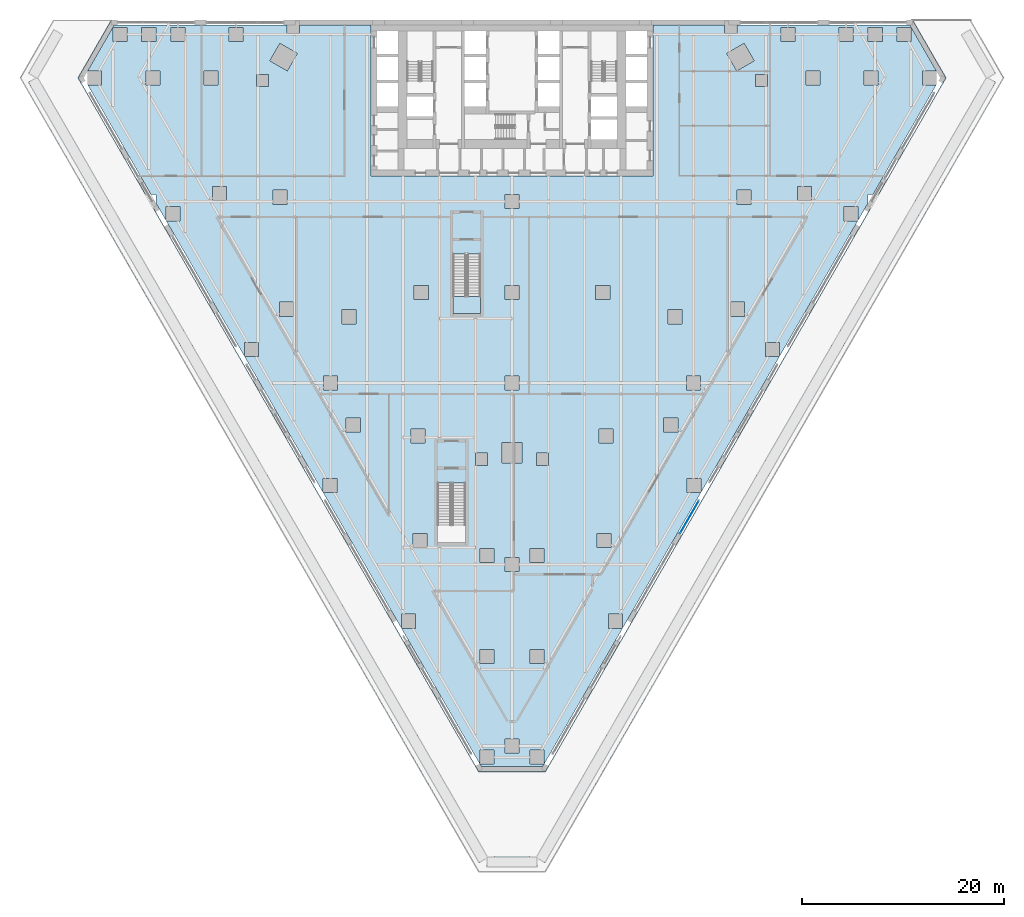
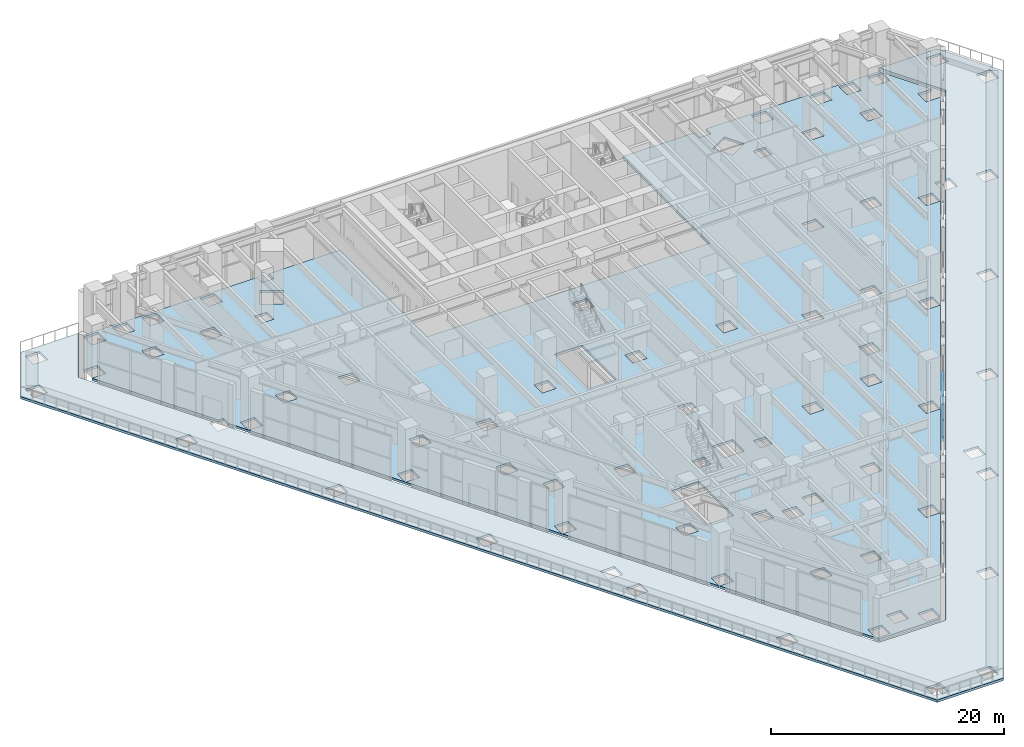
# One storey, part 18 of 30: 3 slabs, 2 plates, 2 elements without a shape of their own.
"""IFC4 building model written with IfcOpenShell, lengths in metres."""

from ifc_helpers import new_model, si_unit, direction, frame, origin, origin_2d, place, context, subcontext, project, spatial, polyline, rectangle, outline, extrude, material, layer, layer_set, type_object, element, aggregate, save


model = new_model("IFC4")

# Units and contexts
model_context = context("Model", 3, precision=1e-05, world=origin(), true_north=direction((0.0, 1.0)))
body_context = subcontext(model_context, "Body", "Model", "MODEL_VIEW")
ifc_project = project(units=[si_unit("LENGTHUNIT", "METRE"), si_unit("AREAUNIT", "SQUARE_METRE"), si_unit("VOLUMEUNIT", "CUBIC_METRE"), si_unit("PLANEANGLEUNIT", "RADIAN"), si_unit("MASSUNIT", "GRAM", prefix="KILO")], contexts=[model_context])

# Site, building, storey
site_placement = place(None, origin())
site = spatial("IfcSite", under=ifc_project, at=site_placement, CompositionType="ELEMENT")
building_placement = place(site_placement, origin())
building = spatial("IfcBuilding", under=site, at=building_placement, Name="Aloe Facet Convention Tower", CompositionType="ELEMENT")
storey_placement = place(building_placement, frame((0.0, 0.0, 19.5)))
storey = spatial("IfcBuildingStorey", under=building, at=storey_placement, Name="L03", CompositionType="ELEMENT", Elevation=19.5)

# Stair, slab
ifc_material_1 = material(Name="Concrete C50/60", Category="concrete")
stair_type = type_object("IfcStairType", Name="CR-ST-32R-W1300", PredefinedType="HALF_TURN_STAIR", material=ifc_material_1)
stair_placement = place(storey_placement, origin())
stair = element("IfcStair", 1, at=stair_placement, inside=storey, type_object=stair_type, Name="L03 Protected exit stair ST5", PredefinedType="HALF_TURN_STAIR")
ifc_material_2 = material(Name="Concrete C50/60", Category="concrete")
ifc_layer_1 = layer(ifc_material_2, 0.199951171875)
ifc_layer_set_1 = layer_set([ifc_layer_1], Name="CR-SL-LANDING")
slab_type_1 = type_object("IfcSlabType", Name="CR-SL-LANDING", PredefinedType="LANDING", material=ifc_layer_set_1)
slab_1_placement = place(storey_placement, frame((0.0, 0.0, 2.550048828125)))
slab_1 = element("IfcSlab", 2, at=slab_1_placement, type_object=slab_type_1, Name="ST5 landing 1", PredefinedType="LANDING", context=body_context, shape_type="SweptSolid", body=[
    extrude(outline(polyline([(74.125, 107.60009765625), (74.125, 105.89990234375), (76.875, 105.89990234375), (76.875, 107.60009765625), (74.125, 107.60009765625)])), origin(), (0.0, 0.0, 1.0), 0.199951171875),
])
aggregate(stair, [slab_1])

# Curtain wall, plates
ifc_material_3 = material(Name="Aluminium, anodised", Category="aluminium")
curtain_wall_type = type_object("IfcCurtainWallType", Name="EV-CW-HALL", PredefinedType="USERDEFINED", material=ifc_material_3)
curtain_wall_placement = place(storey_placement, origin())
curtain_wall = element("IfcCurtainWall", 3, at=curtain_wall_placement, inside=storey, type_object=curtain_wall_type, Name="CW-L03-E08-1", ObjectType="UNITISED HALL GLAZING", PredefinedType="USERDEFINED")
ifc_material_4 = material(Name="Clear double glazing", Category="glass")
ifc_layer_2 = layer(ifc_material_4, 0.035888671875)
ifc_layer_set_2 = layer_set([ifc_layer_2], Name="EV-PANEL-HALL")
plate_type = type_object("IfcPlateType", Name="EV-PANEL-HALL", PredefinedType="CURTAIN_PANEL", material=ifc_layer_set_2)
plate_1_placement = place(storey_placement, frame((97.603515625, 85.710693359375, -0.18505859375), z_axis=(0.0, 0.0, 1.0), x_axis=(0.50000000003, 0.866025403767, 0.0)))
plate_1 = element("IfcPlate", 4, at=plate_1_placement, type_object=plate_type, Name="CW-L03-E08-1 panel 1.1", PredefinedType="CURTAIN_PANEL", context=body_context, shape_type="SweptSolid", body=[
    extrude(rectangle(XDim=3.702880859375, YDim=0.035888671875, at=origin_2d()), origin(), (0.0, 0.0, 1.0), 2.308837890625),
])
plate_2_placement = place(storey_placement, frame((97.603515625, 85.710693359375, 2.1884765625), z_axis=(0.0, 0.0, 1.0), x_axis=(0.50000000003, 0.866025403767, 0.0)))
plate_2 = element("IfcPlate", 5, at=plate_2_placement, type_object=plate_type, Name="CW-L03-E08-1 panel 1.2", PredefinedType="CURTAIN_PANEL", context=body_context, shape_type="SweptSolid", body=[
    extrude(rectangle(XDim=3.702880859375, YDim=0.035888671875, at=origin_2d()), origin(), (0.0, 0.0, 1.0), 2.308837890625),
])
aggregate(curtain_wall, [plate_1, plate_2])

# Slabs
ifc_material_5 = material(Name="Concrete C35/45", Category="concrete")
ifc_layer_3 = layer(ifc_material_5, 0.25)
ifc_layer_set_3 = layer_set([ifc_layer_3], Name="SF-FS-250")
slab_type_2 = type_object("IfcSlabType", Name="SF-FS-250", PredefinedType="FLOOR", material=ifc_layer_set_3)
slab_2_placement = place(storey_placement, frame((0.0, 0.0, -0.25)))
element("IfcSlab", 6, at=slab_2_placement, inside=storey, type_object=slab_type_2, Name="Floor slab L03-1", PredefinedType="FLOOR", context=body_context, shape_type="SweptSolid", body=[
    extrude(outline(polyline([(119.60498046875, 134.300048828125), (118.2119140625, 134.300048828125), (118.2119140625, 132.89990234375), (119.612060546875, 132.89990234375), (119.612060546875, 134.287841796875), (122.096923828125, 129.98388671875), (120.7041015625, 129.98388671875), (120.7041015625, 128.583984375), (122.0966796875, 128.583984375), (115.812744140625, 117.699951171875), (115.300048828125, 117.699951171875), (115.300048828125, 116.81201171875), (114.321044921875, 115.1162109375), (114.321044921875, 116.5048828125), (112.9208984375, 116.5048828125), (112.9208984375, 115.10498046875), (114.314453125, 115.10498046875), (106.5390625, 101.637451171875), (106.5390625, 103.02490234375), (105.138916015625, 103.02490234375), (105.138916015625, 101.625), (106.53173828125, 101.625), (98.757080078125, 88.15869140625), (98.757080078125, 89.544921875), (97.35693359375, 89.544921875), (97.35693359375, 88.14501953125), (98.7490234375, 88.14501953125), (90.97412109375, 74.677978515625), (90.97412109375, 76.06591796875), (89.573974609375, 76.06591796875), (89.573974609375, 74.666015625), (90.967041015625, 74.666015625), (83.19189453125, 61.19921875), (83.19189453125, 62.5859375), (81.7919921875, 62.5859375), (81.7919921875, 61.18603515625), (83.184326171875, 61.18603515625), (83.040283203125, 60.936279296875), (76.959716796875, 60.936279296875), (76.815673828125, 61.18603515625), (78.2080078125, 61.18603515625), (78.2080078125, 62.5859375), (76.80810546875, 62.5859375), (76.80810546875, 61.19921875), (69.032958984375, 74.666015625), (70.426025390625, 74.666015625), (70.426025390625, 76.06591796875), (69.02587890625, 76.06591796875), (69.02587890625, 74.677978515625), (61.2509765625, 88.14501953125), (62.64306640625, 88.14501953125), (62.64306640625, 89.544921875), (61.242919921875, 89.544921875), (61.242919921875, 88.15869140625), (53.46826171875, 101.625), (54.861083984375, 101.625), (54.861083984375, 103.02490234375), (53.4609375, 103.02490234375), (53.4609375, 101.637451171875), (45.685546875, 115.10498046875), (47.0791015625, 115.10498046875), (47.0791015625, 116.5048828125), (45.678955078125, 116.5048828125), (45.678955078125, 115.1162109375), (44.699951171875, 116.81201171875), (44.699951171875, 117.699951171875), (44.187255859375, 117.699951171875), (37.9033203125, 128.583984375), (39.2958984375, 128.583984375), (39.2958984375, 129.98388671875), (37.903076171875, 129.98388671875), (40.387939453125, 134.287841796875), (40.387939453125, 132.89990234375), (41.7880859375, 132.89990234375), (41.7880859375, 134.300048828125), (40.39501953125, 134.300048828125), (40.539306640625, 134.550048828125), (57.699951171875, 134.550048828125), (57.699951171875, 133.699951171875), (58.89990234375, 133.699951171875), (58.89990234375, 134.550048828125), (66.0, 134.550048828125), (66.0, 131.949951171875), (66.0, 131.050048828125), (66.0, 129.35009765625), (66.0, 128.449951171875), (66.0, 126.449951171875), (66.0, 125.85009765625), (66.0, 124.689453125), (66.0, 123.639404296875), (66.0, 122.550048828125), (66.0, 121.5), (66.0, 119.550048828125), (68.699951171875, 119.550048828125), (69.300048828125, 119.550048828125), (72.10009765625, 119.550048828125), (73.14990234375, 119.550048828125), (74.300048828125, 119.550048828125), (75.35009765625, 119.550048828125), (76.433349609375, 119.550048828125), (77.4833984375, 119.550048828125), (78.566650390625, 119.550048828125), (79.61669921875, 119.550048828125), (80.699951171875, 119.550048828125), (81.75, 119.550048828125), (82.64990234375, 119.550048828125), (83.699951171875, 119.550048828125), (84.64990234375, 119.550048828125), (85.699951171875, 119.550048828125), (86.85009765625, 119.550048828125), (87.89990234375, 119.550048828125), (88.550048828125, 119.550048828125), (89.60009765625, 119.550048828125), (90.699951171875, 119.550048828125), (91.300048828125, 119.550048828125), (94.0, 119.550048828125), (94.0, 122.523681640625), (94.0, 123.57373046875), (94.0, 125.85009765625), (94.0, 126.449951171875), (94.0, 128.449951171875), (94.0, 129.35009765625), (94.0, 131.050048828125), (94.0, 131.949951171875), (94.0, 134.550048828125), (101.10009765625, 134.550048828125), (101.10009765625, 133.699951171875), (102.300048828125, 133.699951171875), (102.300048828125, 134.550048828125), (119.460693359375, 134.550048828125), (119.60498046875, 134.300048828125)]), holes=[polyline([(63.552978515625, 94.14501953125), (64.952880859375, 94.14501953125), (64.952880859375, 95.544921875), (63.552978515625, 95.544921875), (63.552978515625, 94.14501953125)]), polyline([(61.300048828125, 98.300048828125), (62.699951171875, 98.300048828125), (62.699951171875, 99.699951171875), (61.300048828125, 99.699951171875), (61.300048828125, 98.300048828125)]), polyline([(63.1259765625, 106.284912109375), (63.1259765625, 104.885009765625), (64.52587890625, 104.885009765625), (64.52587890625, 106.284912109375), (63.1259765625, 106.284912109375)]), polyline([(56.925048828125, 105.625), (58.324951171875, 105.625), (58.324951171875, 107.02490234375), (56.925048828125, 107.02490234375), (56.925048828125, 105.625)]), polyline([(56.283935546875, 118.135009765625), (56.283935546875, 116.735107421875), (57.68408203125, 116.735107421875), (57.68408203125, 118.135009765625), (56.283935546875, 118.135009765625)]), polyline([(50.297119140625, 117.10498046875), (51.697021484375, 117.10498046875), (51.697021484375, 118.5048828125), (50.297119140625, 118.5048828125), (50.297119140625, 117.10498046875)]), polyline([(54.65625, 128.427978515625), (55.856201171875, 128.427978515625), (55.856201171875, 129.6279296875), (54.65625, 129.6279296875), (54.65625, 128.427978515625)]), polyline([(49.443115234375, 128.583984375), (50.843017578125, 128.583984375), (50.843017578125, 129.98388671875), (49.443115234375, 129.98388671875), (49.443115234375, 128.583984375)]), polyline([(43.669921875, 128.583984375), (45.070068359375, 128.583984375), (45.070068359375, 129.98388671875), (43.669921875, 129.98388671875), (43.669921875, 128.583984375)]), polyline([(58.70166015625, 131.7080078125), (56.969482421875, 132.7080078125), (55.969482421875, 130.97607421875), (57.70166015625, 129.97607421875), (58.70166015625, 131.7080078125)]), polyline([(43.258056640625, 134.300048828125), (43.258056640625, 132.89990234375), (44.657958984375, 132.89990234375), (44.657958984375, 134.300048828125), (43.258056640625, 134.300048828125)]), polyline([(51.93505859375, 132.89990234375), (53.3349609375, 132.89990234375), (53.3349609375, 134.300048828125), (51.93505859375, 134.300048828125), (51.93505859375, 132.89990234375)]), polyline([(46.160888671875, 132.89990234375), (47.56103515625, 132.89990234375), (47.56103515625, 134.300048828125), (46.160888671875, 134.300048828125), (46.160888671875, 132.89990234375)]), polyline([(79.300048828125, 62.300048828125), (80.699951171875, 62.300048828125), (80.699951171875, 63.699951171875), (79.300048828125, 63.699951171875), (79.300048828125, 62.300048828125)]), polyline([(76.80810546875, 71.18603515625), (78.2080078125, 71.18603515625), (78.2080078125, 72.5859375), (76.80810546875, 72.5859375), (76.80810546875, 71.18603515625)]), polyline([(81.7919921875, 72.5859375), (81.7919921875, 71.18603515625), (83.19189453125, 71.18603515625), (83.19189453125, 72.5859375), (81.7919921875, 72.5859375)]), polyline([(79.300048828125, 80.300048828125), (80.699951171875, 80.300048828125), (80.699951171875, 81.699951171875), (79.300048828125, 81.699951171875), (79.300048828125, 80.300048828125)]), polyline([(76.80810546875, 82.5859375), (76.80810546875, 81.18603515625), (78.2080078125, 81.18603515625), (78.2080078125, 82.5859375), (76.80810546875, 82.5859375)]), polyline([(81.7919921875, 82.5859375), (81.7919921875, 81.18603515625), (83.19189453125, 81.18603515625), (83.19189453125, 82.5859375), (81.7919921875, 82.5859375)]), polyline([(88.4189453125, 82.666015625), (89.819091796875, 82.666015625), (89.819091796875, 84.06591796875), (88.4189453125, 84.06591796875), (88.4189453125, 82.666015625)]), polyline([(70.180908203125, 82.666015625), (71.5810546875, 82.666015625), (71.5810546875, 84.06591796875), (70.180908203125, 84.06591796875), (70.180908203125, 82.666015625)]), polyline([(72.625, 83.199951171875), (75.375, 83.199951171875), (75.375, 89.098876953125), (72.625, 89.098876953125), (72.625, 83.199951171875)]), polyline([(76.356201171875, 92.04248046875), (76.356201171875, 90.842529296875), (77.55615234375, 90.842529296875), (77.55615234375, 92.04248046875), (76.356201171875, 92.04248046875)]), polyline([(82.44384765625, 92.04248046875), (82.44384765625, 90.842529296875), (83.643798828125, 90.842529296875), (83.643798828125, 92.04248046875), (82.44384765625, 92.04248046875)]), polyline([(79.0, 93.086181640625), (79.0, 91.086181640625), (81.0, 91.086181640625), (81.0, 93.086181640625), (79.0, 93.086181640625)]), polyline([(88.633056640625, 93.035888671875), (90.032958984375, 93.035888671875), (90.032958984375, 94.43603515625), (88.633056640625, 94.43603515625), (88.633056640625, 93.035888671875)]), polyline([(69.967041015625, 93.035888671875), (71.366943359375, 93.035888671875), (71.366943359375, 94.43603515625), (69.967041015625, 94.43603515625), (69.967041015625, 93.035888671875)]), polyline([(79.300048828125, 99.699951171875), (79.300048828125, 98.300048828125), (80.699951171875, 98.300048828125), (80.699951171875, 99.699951171875), (79.300048828125, 99.699951171875)]), polyline([(79.300048828125, 108.699951171875), (79.300048828125, 107.300048828125), (80.699951171875, 107.300048828125), (80.699951171875, 108.699951171875), (79.300048828125, 108.699951171875)]), polyline([(88.300048828125, 107.300048828125), (89.699951171875, 107.300048828125), (89.699951171875, 108.699951171875), (88.300048828125, 108.699951171875), (88.300048828125, 107.300048828125)]), polyline([(70.300048828125, 107.300048828125), (71.699951171875, 107.300048828125), (71.699951171875, 108.699951171875), (70.300048828125, 108.699951171875), (70.300048828125, 107.300048828125)]), polyline([(74.125, 105.89990234375), (76.875, 105.89990234375), (76.875, 111.798828125), (74.125, 111.798828125), (74.125, 105.89990234375)]), polyline([(79.300048828125, 117.699951171875), (79.300048828125, 116.300048828125), (80.699951171875, 116.300048828125), (80.699951171875, 117.699951171875), (79.300048828125, 117.699951171875)]), polyline([(95.047119140625, 95.544921875), (95.047119140625, 94.14501953125), (96.447021484375, 94.14501953125), (96.447021484375, 95.544921875), (95.047119140625, 95.544921875)]), polyline([(97.300048828125, 99.699951171875), (97.300048828125, 98.300048828125), (98.699951171875, 98.300048828125), (98.699951171875, 99.699951171875), (97.300048828125, 99.699951171875)]), polyline([(95.47412109375, 104.885009765625), (96.8740234375, 104.885009765625), (96.8740234375, 106.284912109375), (95.47412109375, 106.284912109375), (95.47412109375, 104.885009765625)]), polyline([(101.675048828125, 107.02490234375), (101.675048828125, 105.625), (103.074951171875, 105.625), (103.074951171875, 107.02490234375), (101.675048828125, 107.02490234375)]), polyline([(102.31591796875, 116.735107421875), (103.716064453125, 116.735107421875), (103.716064453125, 118.135009765625), (102.31591796875, 118.135009765625), (102.31591796875, 116.735107421875)]), polyline([(108.302978515625, 118.5048828125), (108.302978515625, 117.10498046875), (109.702880859375, 117.10498046875), (109.702880859375, 118.5048828125), (108.302978515625, 118.5048828125)]), polyline([(104.143798828125, 129.6279296875), (104.143798828125, 128.427978515625), (105.34375, 128.427978515625), (105.34375, 129.6279296875), (104.143798828125, 129.6279296875)]), polyline([(114.929931640625, 128.583984375), (116.330078125, 128.583984375), (116.330078125, 129.98388671875), (114.929931640625, 129.98388671875), (114.929931640625, 128.583984375)]), polyline([(109.156982421875, 129.98388671875), (109.156982421875, 128.583984375), (110.556884765625, 128.583984375), (110.556884765625, 129.98388671875), (109.156982421875, 129.98388671875)]), polyline([(101.29833984375, 131.7080078125), (102.29833984375, 129.97607421875), (104.030517578125, 130.97607421875), (103.030517578125, 132.7080078125), (101.29833984375, 131.7080078125)]), polyline([(112.43896484375, 132.89990234375), (113.839111328125, 132.89990234375), (113.839111328125, 134.300048828125), (112.43896484375, 134.300048828125), (112.43896484375, 132.89990234375)]), polyline([(115.342041015625, 134.300048828125), (115.342041015625, 132.89990234375), (116.741943359375, 132.89990234375), (116.741943359375, 134.300048828125), (115.342041015625, 134.300048828125)]), polyline([(106.6650390625, 132.89990234375), (108.06494140625, 132.89990234375), (108.06494140625, 134.300048828125), (106.6650390625, 134.300048828125), (106.6650390625, 132.89990234375)])]), origin(), (0.0, 0.0, 1.0), 0.25),
])
ifc_material_6 = material(Name="Concrete C35/45", Category="concrete")
ifc_layer_4 = layer(ifc_material_6, 0.25)
ifc_layer_set_4 = layer_set([ifc_layer_4], Name="SF-TS-250")
slab_type_3 = type_object("IfcSlabType", Name="SF-TS-250", PredefinedType="FLOOR", material=ifc_layer_set_4)
slab_3_placement = place(storey_placement, frame((0.0, 0.0, -0.25)))
element("IfcSlab", 7, at=slab_3_placement, inside=storey, type_object=slab_type_3, Name="Terrace slab PT-L03-1", PredefinedType="FLOOR", context=body_context, shape_type="SweptSolid", body=[
    extrude(outline(polyline([(128.7939453125, 129.2841796875), (83.300048828125, 50.486328125), (76.699951171875, 50.486328125), (31.2060546875, 129.2841796875), (34.506103515625, 135.0), (40.279541015625, 135.0), (36.9794921875, 129.2841796875), (43.667724609375, 117.699951171875), (43.300048828125, 117.699951171875), (43.300048828125, 116.300048828125), (44.475830078125, 116.300048828125), (76.699951171875, 60.486328125), (83.300048828125, 60.486328125), (115.524169921875, 116.300048828125), (116.699951171875, 116.300048828125), (116.699951171875, 117.699951171875), (116.332275390625, 117.699951171875), (123.0205078125, 129.2841796875), (119.720458984375, 135.0), (125.493896484375, 135.0), (128.7939453125, 129.2841796875)]), holes=[polyline([(61.9130859375, 76.986083984375), (63.31298828125, 76.986083984375), (63.31298828125, 78.385986328125), (61.9130859375, 78.385986328125), (61.9130859375, 76.986083984375)]), polyline([(61.300048828125, 80.300048828125), (62.699951171875, 80.300048828125), (62.699951171875, 81.699951171875), (61.300048828125, 81.699951171875), (61.300048828125, 80.300048828125)]), polyline([(54.465087890625, 89.885009765625), (55.864990234375, 89.885009765625), (55.864990234375, 91.284912109375), (54.465087890625, 91.284912109375), (54.465087890625, 89.885009765625)]), polyline([(47.01806640625, 104.18505859375), (47.01806640625, 102.784912109375), (48.41796875, 102.784912109375), (48.41796875, 104.18505859375), (47.01806640625, 104.18505859375)]), polyline([(39.570068359375, 115.68505859375), (40.969970703125, 115.68505859375), (40.969970703125, 117.0849609375), (39.570068359375, 117.0849609375), (39.570068359375, 115.68505859375)]), polyline([(32.123046875, 129.98388671875), (32.123046875, 128.583984375), (33.52294921875, 128.583984375), (33.52294921875, 129.98388671875), (32.123046875, 129.98388671875)]), polyline([(34.614013671875, 132.89990234375), (36.013916015625, 132.89990234375), (36.013916015625, 134.300048828125), (34.614013671875, 134.300048828125), (34.614013671875, 132.89990234375)]), polyline([(76.80810546875, 52.5859375), (76.80810546875, 51.18603515625), (78.2080078125, 51.18603515625), (78.2080078125, 52.5859375), (76.80810546875, 52.5859375)]), polyline([(81.7919921875, 52.5859375), (81.7919921875, 51.18603515625), (83.19189453125, 51.18603515625), (83.19189453125, 52.5859375), (81.7919921875, 52.5859375)]), polyline([(69.361083984375, 65.486083984375), (69.361083984375, 64.0859375), (70.760986328125, 64.0859375), (70.760986328125, 65.486083984375), (69.361083984375, 65.486083984375)]), polyline([(89.239013671875, 65.486083984375), (89.239013671875, 64.0859375), (90.638916015625, 64.0859375), (90.638916015625, 65.486083984375), (89.239013671875, 65.486083984375)]), polyline([(96.68701171875, 76.986083984375), (98.0869140625, 76.986083984375), (98.0869140625, 78.385986328125), (96.68701171875, 78.385986328125), (96.68701171875, 76.986083984375)]), polyline([(97.300048828125, 80.300048828125), (98.699951171875, 80.300048828125), (98.699951171875, 81.699951171875), (97.300048828125, 81.699951171875), (97.300048828125, 80.300048828125)]), polyline([(104.135009765625, 91.284912109375), (104.135009765625, 89.885009765625), (105.534912109375, 89.885009765625), (105.534912109375, 91.284912109375), (104.135009765625, 91.284912109375)]), polyline([(111.58203125, 102.784912109375), (112.98193359375, 102.784912109375), (112.98193359375, 104.18505859375), (111.58203125, 104.18505859375), (111.58203125, 102.784912109375)]), polyline([(119.030029296875, 115.68505859375), (120.429931640625, 115.68505859375), (120.429931640625, 117.0849609375), (119.030029296875, 117.0849609375), (119.030029296875, 115.68505859375)]), polyline([(126.47705078125, 129.98388671875), (126.47705078125, 128.583984375), (127.876953125, 128.583984375), (127.876953125, 129.98388671875), (126.47705078125, 129.98388671875)]), polyline([(123.986083984375, 134.300048828125), (123.986083984375, 132.89990234375), (125.385986328125, 132.89990234375), (125.385986328125, 134.300048828125), (123.986083984375, 134.300048828125)])]), origin(), (0.0, 0.0, 1.0), 0.25),
])

save(model, "model.ifc")
